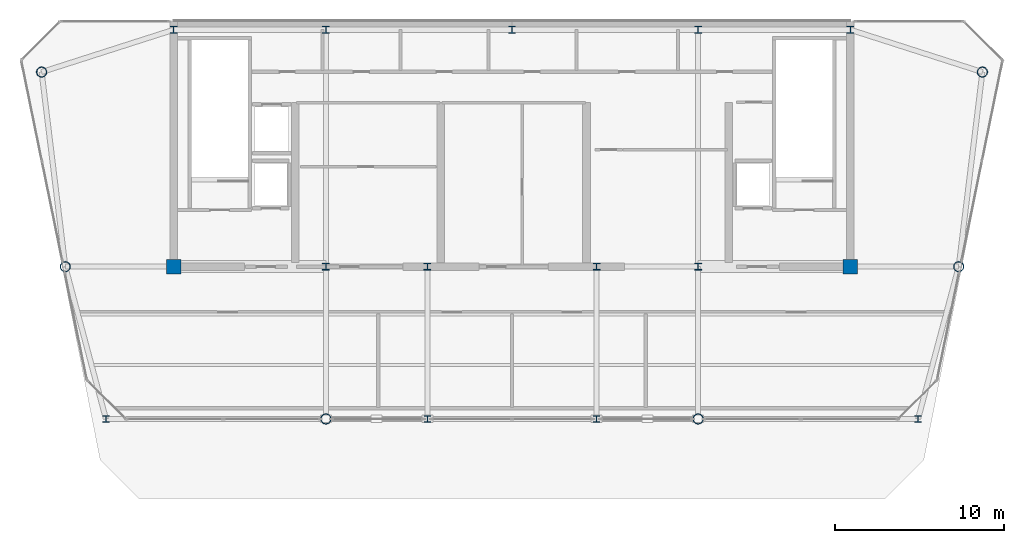
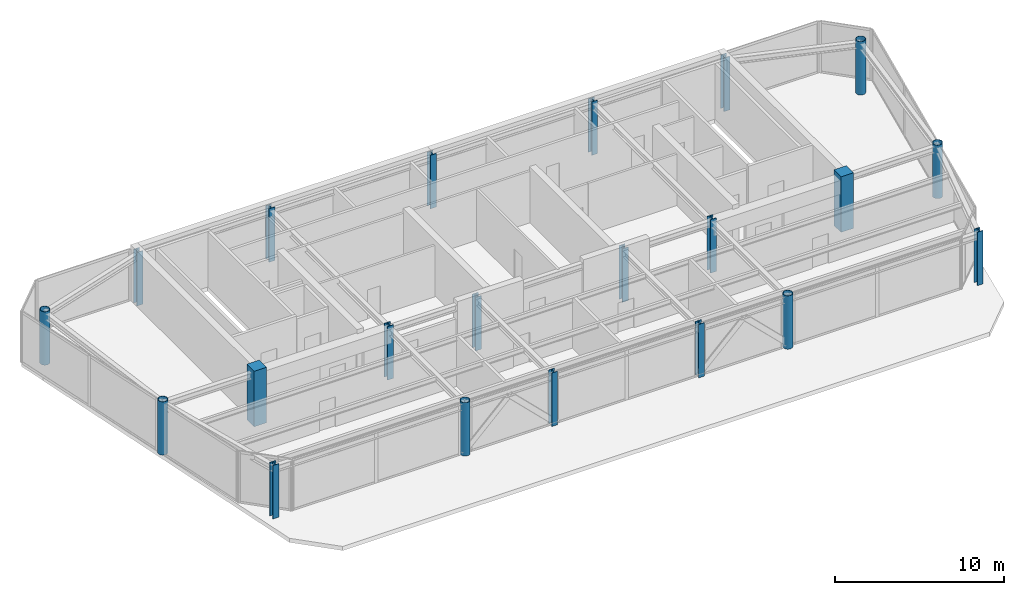
# One storey, part 1 of 7: 21 columns.
"""IFC4 building model written with IfcOpenShell, lengths in metres."""

from ifc_helpers import new_model, si_unit, direction, frame, origin, origin_2d, place, context, subcontext, project, spatial, rectangle, hollow_circle, i_section, extrude, source, transform, mapped, material, material_profile, profile_set, type_object, element, save


model = new_model("IFC4")

# Units and contexts
model_context = context("Model", 3, precision=1e-05, world=origin(), true_north=direction((0.0, 1.0)))
body_context = subcontext(model_context, "Body", "Model", "MODEL_VIEW")
ifc_project = project(units=[si_unit("LENGTHUNIT", "METRE"), si_unit("AREAUNIT", "SQUARE_METRE"), si_unit("VOLUMEUNIT", "CUBIC_METRE"), si_unit("PLANEANGLEUNIT", "RADIAN"), si_unit("MASSUNIT", "GRAM", prefix="KILO")], contexts=[model_context])

# Site, building, storey
site_placement = place(None, origin())
site = spatial("IfcSite", under=ifc_project, at=site_placement, CompositionType="ELEMENT")
building_placement = place(site_placement, origin())
building = spatial("IfcBuilding", under=site, at=building_placement, Name="Vaeldorn Concourse Tower", CompositionType="ELEMENT")
storey_placement = place(building_placement, frame((0.0, 0.0, 312.800048828125)))
storey = spatial("IfcBuildingStorey", under=building, at=storey_placement, Name="L80", CompositionType="ELEMENT", Elevation=312.800048828125)

# Columns
ifc_material_1 = material(Name="Concrete C50/60", Category="concrete")
ifc_material_profile_1 = material_profile(ifc_material_1, rectangle(XDim=0.85009765625, YDim=0.85009765625, at=origin_2d()), Name="RC 850x850")
ifc_profile_set_1 = profile_set([ifc_material_profile_1], Name="Concrete C50/60")
column_type_1 = type_object("IfcColumnType", Name="COL-RC850", PredefinedType="COLUMN", material=ifc_profile_set_1)
shared_shape_1 = source(origin(), body_context, "Body", "SweptSolid", [
    extrude(rectangle(XDim=0.85009765625, YDim=0.85009765625, at=origin_2d()), origin(), (0.0, 0.0, 1.0), 4.0),
])
for number, where, z_axis, x_axis, name in (
    (1, (14.0, 36.5, 0.0), (0.0, 0.0, 1.0), (1.0, 0.0, 0.0), "Column C-FC1 L80"),
    (2, (54.0, 36.5, 0.0), (0.0, 0.0, 1.0), (1.0, 0.0, 0.0), "Column C-FC6 L80"),
):
    element("IfcColumn", number, at=place(storey_placement, frame(where, z_axis=z_axis, x_axis=x_axis)), inside=storey, type_object=column_type_1, Name=name, PredefinedType="COLUMN", context=body_context, shape_type="MappedRepresentation", body=[
        mapped(shared_shape_1, transform((0.0, 0.0, 0.0), scale=1.0)),
    ])
ifc_material_2 = material(Name="Steel S355", Category="steel")
ifc_material_profile_2 = material_profile(ifc_material_2, i_section(OverallWidth=0.406005859375, OverallDepth=0.416015625, WebThickness=0.02978515625, FlangeThickness=0.0419921875, FilletRadius=0.014892578125, at=origin_2d()), Name="HD 400x382")
ifc_profile_set_2 = profile_set([ifc_material_profile_2], Name="Steel S355")
column_type_2 = type_object("IfcColumnType", Name="COL-HD382", PredefinedType="COLUMN", material=ifc_profile_set_2)
shared_shape_2 = source(origin(), body_context, "Body", "SweptSolid", [
    extrude(i_section(OverallWidth=0.406005859375, OverallDepth=0.416015625, WebThickness=0.02978515625, FlangeThickness=0.0419921875, FilletRadius=0.014892578125, at=origin_2d()), origin(), (0.0, 0.0, 1.0), 3.849853515625),
])
for number, where, z_axis, x_axis, name in (
    (3, (23.0, 36.5, 0.0), (0.0, 0.0, 1.0), (1.0, 0.0, 0.0), "Column C-FC2 L80"),
    (4, (29.0, 36.5, 0.0), (0.0, 0.0, 1.0), (1.0, 0.0, 0.0), "Column C-FC3 L80"),
    (5, (39.0, 36.5, 0.0), (0.0, 0.0, 1.0), (1.0, 0.0, 0.0), "Column C-FC4 L80"),
    (6, (45.0, 36.5, 0.0), (0.0, 0.0, 1.0), (1.0, 0.0, 0.0), "Column C-FC5 L80"),
    (7, (14.0, 50.5, 0.0), (0.0, 0.0, 1.0), (1.0, 0.0, 0.0), "Column C-HC1 L80"),
    (8, (23.0, 50.5, 0.0), (0.0, 0.0, 1.0), (1.0, 0.0, 0.0), "Column C-HC2 L80"),
    (9, (34.0, 50.5, 0.0), (0.0, 0.0, 1.0), (1.0, 0.0, 0.0), "Column C-HC3 L80"),
    (10, (45.0, 50.5, 0.0), (0.0, 0.0, 1.0), (1.0, 0.0, 0.0), "Column C-HC4 L80"),
    (11, (54.0, 50.5, 0.0), (0.0, 0.0, 1.0), (1.0, 0.0, 0.0), "Column C-HC5 L80"),
):
    element("IfcColumn", number, at=place(storey_placement, frame(where, z_axis=z_axis, x_axis=x_axis)), inside=storey, type_object=column_type_2, Name=name, PredefinedType="COLUMN", context=body_context, shape_type="MappedRepresentation", body=[
        mapped(shared_shape_2, transform((0.0, 0.0, 0.0), scale=1.0)),
    ])
ifc_material_profile_3 = material_profile(ifc_material_2, hollow_circle(Radius=0.304931640625, WallThickness=0.030029296875, at=origin_2d()), Name="CHS 610x30")
ifc_profile_set_3 = profile_set([ifc_material_profile_3], Name="Steel S355")
column_type_3 = type_object("IfcColumnType", Name="COL-CHS610", PredefinedType="COLUMN", material=ifc_profile_set_3)
shared_shape_3 = source(origin(), body_context, "Body", "SweptSolid", [
    extrude(hollow_circle(Radius=0.304931640625, WallThickness=0.030029296875, at=origin_2d()), origin(), (0.0, 0.0, 1.0), 3.849853515625),
])
for number, where, z_axis, x_axis, name in (
    (12, (6.199951171875, 48.0, 0.0), (0.0, 0.0, 1.0), (1.0, 0.0, 0.0), "Column C-NW1 L80"),
    (13, (7.60009765625, 36.5, 0.0), (0.0, 0.0, 1.0), (1.0, 0.0, 0.0), "Column C-NW2 L80"),
    (14, (61.800048828125, 48.0, 0.0), (0.0, 0.0, 1.0), (1.0, 0.0, 0.0), "Column C-NE1 L80"),
    (15, (60.39990234375, 36.5, 0.0), (0.0, 0.0, 1.0), (1.0, 0.0, 0.0), "Column C-NE2 L80"),
    (16, (23.0, 27.5, 0.0), (0.0, 0.0, 1.0), (1.0, 0.0, 0.0), "Column C-TW1 L80"),
    (17, (45.0, 27.5, 0.0), (0.0, 0.0, 1.0), (1.0, 0.0, 0.0), "Column C-TW4 L80"),
):
    element("IfcColumn", number, at=place(storey_placement, frame(where, z_axis=z_axis, x_axis=x_axis)), inside=storey, type_object=column_type_3, Name=name, PredefinedType="COLUMN", context=body_context, shape_type="MappedRepresentation", body=[
        mapped(shared_shape_3, transform((0.0, 0.0, 0.0), scale=1.0)),
    ])
ifc_material_profile_4 = material_profile(ifc_material_2, i_section(OverallWidth=0.40087890625, OverallDepth=0.39892578125, WebThickness=0.02490234375, FlangeThickness=0.034912109375, FilletRadius=0.014892578125, at=origin_2d()), Name="HD 400x314")
ifc_profile_set_4 = profile_set([ifc_material_profile_4], Name="Steel S355")
column_type_4 = type_object("IfcColumnType", Name="COL-HD314F", PredefinedType="COLUMN", material=ifc_profile_set_4)
shared_shape_4 = source(origin(), body_context, "Body", "SweptSolid", [
    extrude(i_section(OverallWidth=0.40087890625, OverallDepth=0.39892578125, WebThickness=0.02490234375, FlangeThickness=0.034912109375, FilletRadius=0.014892578125, at=origin_2d()), origin(), (0.0, 0.0, 1.0), 3.849853515625),
])
for number, where, z_axis, x_axis, name in (
    (18, (10.0, 27.5, 0.0), (0.0, 0.0, 1.0), (1.0, 0.0, 0.0), "Column C-FLW1 L80"),
    (19, (58.0, 27.5, 0.0), (0.0, 0.0, 1.0), (1.0, 0.0, 0.0), "Column C-FLE1 L80"),
):
    element("IfcColumn", number, at=place(storey_placement, frame(where, z_axis=z_axis, x_axis=x_axis)), inside=storey, type_object=column_type_4, Name=name, PredefinedType="COLUMN", context=body_context, shape_type="MappedRepresentation", body=[
        mapped(shared_shape_4, transform((0.0, 0.0, 0.0), scale=1.0)),
    ])
ifc_material_profile_5 = material_profile(ifc_material_2, i_section(OverallWidth=0.39794921875, OverallDepth=0.386962890625, WebThickness=0.0205078125, FlangeThickness=0.029052734375, FilletRadius=0.014892578125, at=origin_2d()), Name="HD 400x262")
ifc_profile_set_5 = profile_set([ifc_material_profile_5], Name="Steel S355")
column_type_5 = type_object("IfcColumnType", Name="COL-HD262T", PredefinedType="COLUMN", material=ifc_profile_set_5)
shared_shape_5 = source(origin(), body_context, "Body", "SweptSolid", [
    extrude(i_section(OverallWidth=0.39794921875, OverallDepth=0.386962890625, WebThickness=0.0205078125, FlangeThickness=0.029052734375, FilletRadius=0.014892578125, at=origin_2d()), origin(), (0.0, 0.0, 1.0), 3.849853515625),
])
for number, where, z_axis, x_axis, name in (
    (20, (29.0, 27.5, 0.0), (0.0, 0.0, 1.0), (1.0, 0.0, 0.0), "Column C-TW2 L80"),
    (21, (39.0, 27.5, 0.0), (0.0, 0.0, 1.0), (1.0, 0.0, 0.0), "Column C-TW3 L80"),
):
    element("IfcColumn", number, at=place(storey_placement, frame(where, z_axis=z_axis, x_axis=x_axis)), inside=storey, type_object=column_type_5, Name=name, PredefinedType="COLUMN", context=body_context, shape_type="MappedRepresentation", body=[
        mapped(shared_shape_5, transform((0.0, 0.0, 0.0), scale=1.0)),
    ])

save(model, "model.ifc")
